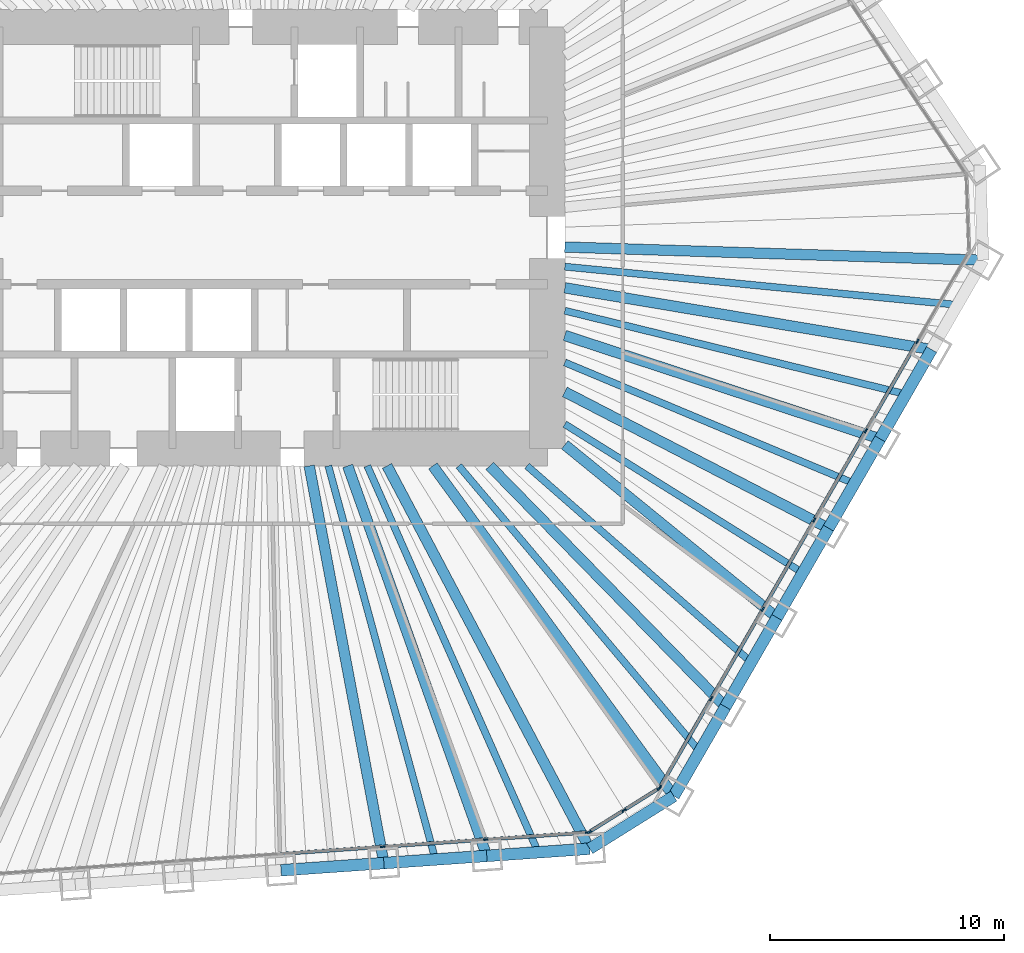
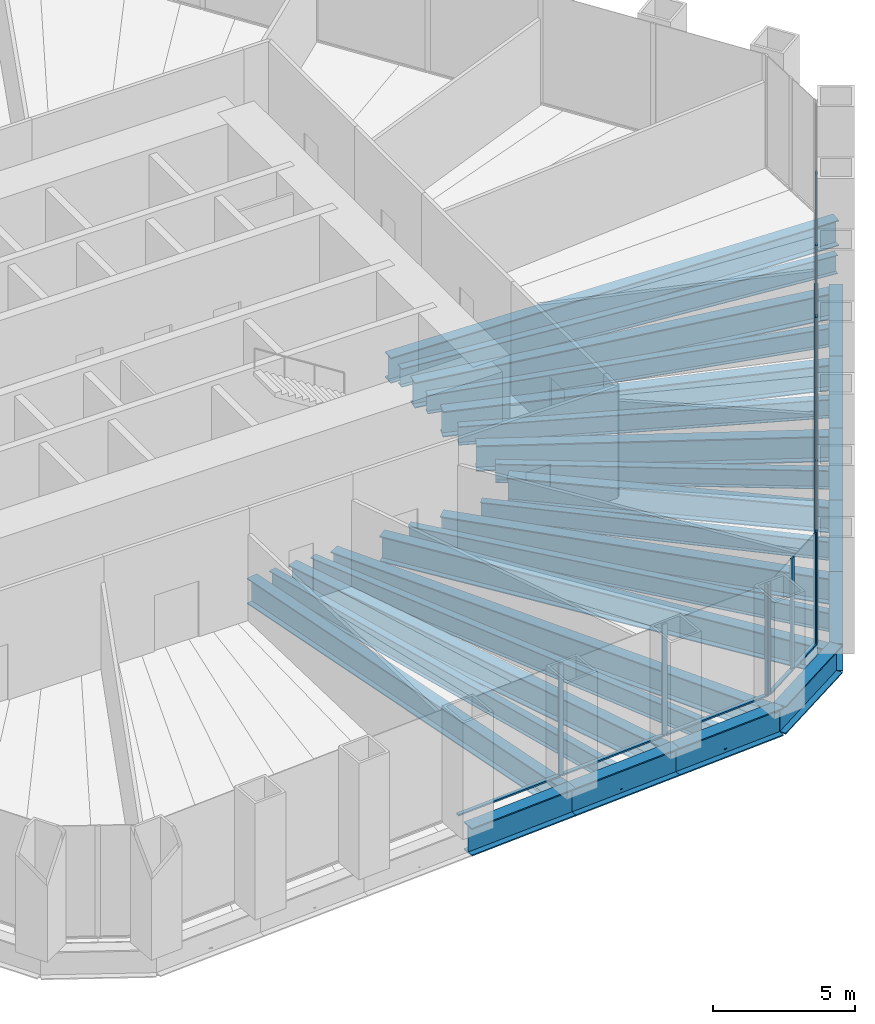
# One storey, part 4 of 13: 27 beams, 22 members, 3 elements without a shape of their own.
"""IFC4 building model written with IfcOpenShell, lengths in metres."""

import ifcopenshell
import ifcopenshell.guid

model = None  # the IFC model being written
_history = None  # IfcOwnerHistory: only IFC2X3 demands one
_inside = {}  # id of a spatial element -> (the spatial element, [elements in it])
_under = {}  # id of a project, library or spatial element -> (it, [spatial elements below it])
_declared = {}  # id of a project -> (the project, [libraries it declares])
_typed = {}  # id of a type object -> (the type object, [elements of that type])
_made_of = {}  # id of a material, layer set ... -> (it, [elements and type objects made of it])


def new_model(schema):
    """Start an empty IFC model of exactly this schema.

    Asked for "IFC4X3", IfcOpenShell would pick the latest addendum, in which some entities
    have other attributes; the version numbers below select the first issue.
    IFC2X3 requires an IfcOwnerHistory on every rooted entity: one is made here for all.
    """
    global model, _history
    if schema == "IFC4X3":
        model = ifcopenshell.file(schema_version=(4, 3, 0, 0))
    else:
        model = ifcopenshell.file(schema=schema)
    _inside.clear()
    _under.clear()
    _declared.clear()
    _typed.clear()
    _made_of.clear()
    _history = None
    if model.schema == "IFC2X3":
        org = make("IfcOrganization", Name="unknown")
        user = make(
            "IfcPersonAndOrganization",
            ThePerson=make("IfcPerson", FamilyName="unknown"),
            TheOrganization=org,
        )
        app = make(
            "IfcApplication",
            ApplicationDeveloper=org,
            Version="unknown",
            ApplicationFullName="unknown",
            ApplicationIdentifier="unknown",
        )
        _history = make(
            "IfcOwnerHistory",
            OwningUser=user,
            OwningApplication=app,
            ChangeAction="ADDED",
            CreationDate=0,
        )
    return model


def make(cls, **values):
    """One entity of the class cls with the attributes given. An attribute that is None is left unset."""
    return model.create_entity(
        cls, **{name: value for name, value in values.items() if value is not None}
    )


def rooted(cls, **values):
    """An entity with a GlobalId (a new one), such as an element, a storey or a relation."""
    return make(cls, GlobalId=ifcopenshell.guid.new(), OwnerHistory=_history, **values)


def si_unit(unit_type, name, prefix=None):
    """IfcSIUnit, for example si_unit("LENGTHUNIT", "METRE", prefix="MILLI")."""
    return make("IfcSIUnit", UnitType=unit_type, Prefix=prefix, Name=name)


def assignment(units):
    """IfcUnitAssignment: the units of a project."""
    return None if units is None else make("IfcUnitAssignment", Units=units)


def point(xyz):
    """IfcCartesianPoint."""
    return None if xyz is None else make("IfcCartesianPoint", Coordinates=xyz)


def direction(xyz):
    """IfcDirection."""
    return None if xyz is None else make("IfcDirection", DirectionRatios=xyz)


def frame(location, z_axis=None, x_axis=None):
    """IfcAxis2Placement3D, a coordinate frame: its origin and axes. An axis left out is left unset."""
    return make(
        "IfcAxis2Placement3D",
        Location=point(location),
        Axis=direction(z_axis),
        RefDirection=direction(x_axis),
    )


def frame_2d(location, x_axis=None):
    """IfcAxis2Placement2D, a coordinate frame in the plane: its origin and x axis."""
    return make(
        "IfcAxis2Placement2D", Location=point(location), RefDirection=direction(x_axis)
    )


def origin():
    """The frame at (0, 0, 0) with its axes left unset."""
    return frame((0.0, 0.0, 0.0))


def origin_2d():
    """The frame at (0, 0) in the plane with its x axis left unset."""
    return frame_2d((0.0, 0.0))


def place(relative_to, where):
    """IfcLocalPlacement: puts the frame where relative to a parent placement (None: the world)."""
    return make(
        "IfcLocalPlacement", PlacementRelTo=relative_to, RelativePlacement=where
    )


def context(
    kind, dimensions, precision=None, world=None, true_north=None, identifier=None
):
    """IfcGeometricRepresentationContext, for example the 3D "Model" context."""
    return make(
        "IfcGeometricRepresentationContext",
        ContextIdentifier=identifier,
        ContextType=kind,
        CoordinateSpaceDimension=dimensions,
        Precision=precision,
        WorldCoordinateSystem=world,
        TrueNorth=true_north,
    )


def subcontext(parent, identifier, kind, view, scale=None):
    """IfcGeometricRepresentationSubContext, for example "Body" below "Model"."""
    return make(
        "IfcGeometricRepresentationSubContext",
        ContextIdentifier=identifier,
        ContextType=kind,
        ParentContext=parent,
        TargetScale=scale,
        TargetView=view,
    )


def project(units=None, contexts=None):
    """IfcProject with its units and contexts."""
    return rooted(
        "IfcProject",
        Name="project",
        RepresentationContexts=contexts,
        UnitsInContext=assignment(units),
    )


def spatial(cls, under=None, at=None, **own):
    """A site, building, storey or space (cls), placed at a placement, below another one or the project."""
    s = rooted(cls, ObjectPlacement=at, **own)
    if under is not None:
        _under.setdefault(under.id(), (under, []))[1].append(s)
    return s


def profile(cls, at=None, kind="AREA", **sizes):
    """A parametric profile (cls). Its sizes go by their IFC names, for example OverallWidth=200.0."""
    return make(cls, ProfileType=kind, Position=at, **sizes)


def rectangle(**sizes):
    """IfcRectangleProfileDef."""
    return profile("IfcRectangleProfileDef", **sizes)


def i_section(**sizes):
    """IfcIShapeProfileDef."""
    return profile("IfcIShapeProfileDef", **sizes)


def extrude(swept, where, along, depth):
    """IfcExtrudedAreaSolid: the profile swept, set in the frame where, extruded along a direction by depth."""
    return make(
        "IfcExtrudedAreaSolid",
        SweptArea=swept,
        Position=where,
        ExtrudedDirection=direction(along),
        Depth=depth,
    )


def shape(context_of_items, identifier, shape_type, items):
    """IfcShapeRepresentation: the items that make up one representation, for example the "Body"."""
    return make(
        "IfcShapeRepresentation",
        ContextOfItems=context_of_items,
        RepresentationIdentifier=identifier,
        RepresentationType=shape_type,
        Items=items,
    )


def material(Name=None, Category=None):
    """IfcMaterial."""
    return make("IfcMaterial", Name=Name, Category=Category)


def material_profile(
    of_material, cross_section, Name=None, Category=None, Priority=None
):
    """IfcMaterialProfile: a cross section and its material."""
    return make(
        "IfcMaterialProfile",
        Name=Name,
        Material=of_material,
        Profile=cross_section,
        Priority=Priority,
        Category=Category,
    )


def profile_set(profiles, Name=None, composite=None):
    """IfcMaterialProfileSet."""
    return make(
        "IfcMaterialProfileSet",
        Name=Name,
        MaterialProfiles=profiles,
        CompositeProfile=composite,
    )


def made_of(thing, what):
    """Note that an element or type object is made of a material, layer set ...; save() writes the relation."""
    if what is not None:
        _made_of.setdefault(what.id(), (what, []))[1].append(thing)
    return thing


def type_object(cls, material=None, **own):
    """A type object (cls), such as IfcWallType, which elements share."""
    return made_of(rooted(cls, **own), material)


def element(
    cls,
    number,
    at=None,
    inside=None,
    cuts=None,
    type_object=None,
    material=None,
    context=None,
    identifier="Body",
    shape_type=None,
    held_by="IfcProductDefinitionShape",
    body=None,
    shapes=None,
    **own,
):
    """One element of the class cls, such as IfcWall. Its Tag is "e" and its number.

    at: its placement. inside: the storey or other place that contains it. cuts: it is an
    opening in that element (IfcRelVoidsElement). A single representation is given by context,
    identifier, shape_type and body (its items); several are given by shapes. held_by: the class
    of the entity that holds the representations. save() writes the other relations.
    """
    e = rooted(cls, Tag="e%d" % number, ObjectPlacement=at, **own)
    if body is not None:
        shapes = [shape(context, identifier, shape_type, body)]
    if shapes is not None:
        e.Representation = make(held_by, Representations=shapes)
    if inside is not None:
        _inside.setdefault(inside.id(), (inside, []))[1].append(e)
    if cuts is not None:
        rooted(
            "IfcRelVoidsElement", RelatingBuildingElement=cuts, RelatedOpeningElement=e
        )
    if type_object is not None:
        _typed.setdefault(type_object.id(), (type_object, []))[1].append(e)
    return made_of(e, material)


def aggregate(whole, parts):
    """IfcRelAggregates: a whole, such as a stair, and the parts it consists of."""
    return rooted("IfcRelAggregates", RelatingObject=whole, RelatedObjects=parts)


def save(model, path):
    """Write the relations noted so far, then the file.

    IfcRelAggregates (storeys below a building ...), IfcRelContainedInSpatialStructure (elements
    in a storey), IfcRelDefinesByType, IfcRelAssociatesMaterial and IfcRelDeclares: one each for
    every whole, place, type object, material and project.
    """
    for whole, parts in _under.values():
        aggregate(whole, parts)
    for where, things in _inside.values():
        rooted(
            "IfcRelContainedInSpatialStructure",
            RelatedElements=things,
            RelatingStructure=where,
        )
    for kind, things in _typed.values():
        rooted("IfcRelDefinesByType", RelatedObjects=things, RelatingType=kind)
    for what, things in _made_of.values():
        rooted("IfcRelAssociatesMaterial", RelatedObjects=things, RelatingMaterial=what)
    for by, libraries in _declared.values():
        rooted("IfcRelDeclares", RelatingContext=by, RelatedDefinitions=libraries)
    model.write(path)


model = new_model("IFC4")

# Units and contexts
model_context = context("Model", 3, precision=1e-05, world=origin(), true_north=direction((0.0, 1.0)))
body_context = subcontext(model_context, "Body", "Model", "MODEL_VIEW")
ifc_project = project(units=[si_unit("LENGTHUNIT", "METRE"), si_unit("AREAUNIT", "SQUARE_METRE"), si_unit("VOLUMEUNIT", "CUBIC_METRE"), si_unit("PLANEANGLEUNIT", "RADIAN"), si_unit("MASSUNIT", "GRAM", prefix="KILO")], contexts=[model_context])

# Site, building, storey
site_placement = place(None, origin())
site = spatial("IfcSite", under=ifc_project, at=site_placement, CompositionType="ELEMENT")
building_placement = place(site_placement, origin())
building = spatial("IfcBuilding", under=site, at=building_placement, Name="Qingtian Harvest Tower", CompositionType="ELEMENT")
storey_placement = place(building_placement, frame((0.0, 0.0, 62.0)))
storey = spatial("IfcBuildingStorey", under=building, at=storey_placement, Name="L12", CompositionType="ELEMENT", Elevation=62.0)

# Beams
ifc_material_1 = material(Name="Steel SM570MC", Category="steel")
ifc_material_profile_1 = material_profile(ifc_material_1, i_section(OverallWidth=0.449951171875, OverallDepth=1.10009765625, WebThickness=0.02197265625, FlangeThickness=0.044921875, at=origin_2d()), Name="H1100x450x22x45")
ifc_profile_set_1 = profile_set([ifc_material_profile_1], Name="Steel SM570MC")
beam_type_1 = type_object("IfcBeamType", Name="Corner floor beam FB8 H1100x450x22x45", PredefinedType="BEAM", material=ifc_profile_set_1)
beam_1_placement = place(storey_placement, frame((30.618408203125, -0.96728515625, -0.75), z_axis=(-0.999501426546, 0.031573696842, 0.0), x_axis=(-0.031573696842, -0.999501426546, 0.0)))
element("IfcBeam", 1, at=beam_1_placement, inside=storey, type_object=beam_type_1, Name="Floor beam FB8 SE0", PredefinedType="BEAM", context=body_context, shape_type="SweptSolid", body=[
    extrude(i_section(OverallWidth=0.449951171875, OverallDepth=1.10009765625, WebThickness=0.02197265625, FlangeThickness=0.044921875, at=origin_2d()), origin(), (0.0, 0.0, 1.0), 17.87744140625),
])
beam_2_placement = place(storey_placement, frame((17.404541015625, -23.854248046875, -0.75), z_axis=(-0.58941234871, 0.807832336062, 0.0), x_axis=(-0.807832336062, -0.58941234871, 0.0)))
element("IfcBeam", 2, at=beam_2_placement, inside=storey, type_object=beam_type_1, Name="Floor beam FB8 SE6", PredefinedType="BEAM", context=body_context, shape_type="SweptSolid", body=[
    extrude(i_section(OverallWidth=0.449951171875, OverallDepth=1.10009765625, WebThickness=0.02197265625, FlangeThickness=0.044921875, at=origin_2d()), origin(), (0.0, 0.0, 1.0), 17.45947265625),
])
beam_3_placement = place(storey_placement, frame((13.810546875, -26.10009765625, -0.75), z_axis=(-0.467705182679, 0.883884529843, 0.0), x_axis=(-0.883884529843, -0.467705182679, 0.0)))
element("IfcBeam", 3, at=beam_3_placement, inside=storey, type_object=beam_type_1, Name="Floor beam FB8 S0", PredefinedType="BEAM", context=body_context, shape_type="SweptSolid", body=[
    extrude(i_section(OverallWidth=0.449951171875, OverallDepth=1.10009765625, WebThickness=0.02197265625, FlangeThickness=0.044921875, at=origin_2d()), origin(), (0.0, 0.0, 1.0), 18.498046875),
])
ifc_material_2 = material(Name="Steel SM570MC", Category="steel")
ifc_material_profile_2 = material_profile(ifc_material_2, i_section(OverallWidth=0.449951171875, OverallDepth=1.10009765625, WebThickness=0.02197265625, FlangeThickness=0.044921875, at=origin_2d()), Name="H1100x450x22x45")
ifc_profile_set_2 = profile_set([ifc_material_profile_2], Name="Steel SM570MC")
beam_type_2 = type_object("IfcBeamType", Name="Floor beam FB1 H1100x450x22x45", PredefinedType="BEAM", material=ifc_profile_set_2)
beam_4_placement = place(storey_placement, frame((28.416015625, -4.78173828125, -0.75), z_axis=(-0.986135195489, 0.16594389479, 0.0), x_axis=(-0.16594389479, -0.986135195489, 0.0)))
element("IfcBeam", 4, at=beam_4_placement, inside=storey, type_object=beam_type_2, Name="Floor beam FB1 SE1", PredefinedType="BEAM", context=body_context, shape_type="SweptSolid", body=[
    extrude(i_section(OverallWidth=0.449951171875, OverallDepth=1.10009765625, WebThickness=0.02197265625, FlangeThickness=0.044921875, at=origin_2d()), origin(), (0.0, 0.0, 1.0), 15.88623046875),
])
beam_5_placement = place(storey_placement, frame((26.2138671875, -8.596435546875, -0.75), z_axis=(-0.950210724421, 0.311608053803, 0.0), x_axis=(-0.311608053803, -0.950210724421, 0.0)))
element("IfcBeam", 5, at=beam_5_placement, inside=storey, type_object=beam_type_2, Name="Floor beam FB1 SE2", PredefinedType="BEAM", context=body_context, shape_type="SweptSolid", body=[
    extrude(i_section(OverallWidth=0.449951171875, OverallDepth=1.10009765625, WebThickness=0.02197265625, FlangeThickness=0.044921875, at=origin_2d()), origin(), (0.0, 0.0, 1.0), 14.16943359375),
])
beam_6_placement = place(storey_placement, frame((24.011474609375, -12.410888671875, -0.75), z_axis=(-0.888349581519, 0.45916774823, 0.0), x_axis=(-0.45916774823, -0.888349581519, 0.0)))
element("IfcBeam", 6, at=beam_6_placement, inside=storey, type_object=beam_type_2, Name="Floor beam FB1 SE3", PredefinedType="BEAM", context=body_context, shape_type="SweptSolid", body=[
    extrude(i_section(OverallWidth=0.449951171875, OverallDepth=1.10009765625, WebThickness=0.02197265625, FlangeThickness=0.044921875, at=origin_2d()), origin(), (0.0, 0.0, 1.0), 12.6767578125),
])
beam_7_placement = place(storey_placement, frame((21.809326171875, -16.225341796875, -0.75), z_axis=(-0.775504415669, 0.631342142802, 0.0), x_axis=(-0.631342142802, -0.775504415669, 0.0)))
element("IfcBeam", 7, at=beam_7_placement, inside=storey, type_object=beam_type_2, Name="Floor beam FB1 SE4", PredefinedType="BEAM", context=body_context, shape_type="SweptSolid", body=[
    extrude(i_section(OverallWidth=0.449951171875, OverallDepth=1.10009765625, WebThickness=0.02197265625, FlangeThickness=0.044921875, at=origin_2d()), origin(), (0.0, 0.0, 1.0), 11.681884765625),
])
beam_8_placement = place(storey_placement, frame((19.60693359375, -20.039794921875, -0.75), z_axis=(-0.699348221539, 0.714781130858, 0.0), x_axis=(-0.714781130858, -0.699348221539, 0.0)))
element("IfcBeam", 8, at=beam_8_placement, inside=storey, type_object=beam_type_2, Name="Floor beam FB1 SE5", PredefinedType="BEAM", context=body_context, shape_type="SweptSolid", body=[
    extrude(i_section(OverallWidth=0.449951171875, OverallDepth=1.10009765625, WebThickness=0.02197265625, FlangeThickness=0.044921875, at=origin_2d()), origin(), (0.0, 0.0, 1.0), 14.395751953125),
])
beam_9_placement = place(storey_placement, frame((9.41650390625, -26.407470703125, -0.75), z_axis=(-0.33586498155, 0.941910141239, 0.0), x_axis=(-0.941910141239, -0.33586498155, 0.0)))
element("IfcBeam", 9, at=beam_9_placement, inside=storey, type_object=beam_type_2, Name="Floor beam FB1 S1", PredefinedType="BEAM", context=body_context, shape_type="SweptSolid", body=[
    extrude(i_section(OverallWidth=0.449951171875, OverallDepth=1.10009765625, WebThickness=0.02197265625, FlangeThickness=0.044921875, at=origin_2d()), origin(), (0.0, 0.0, 1.0), 17.684814453125),
])
beam_10_placement = place(storey_placement, frame((5.022705078125, -26.714599609375, -0.75), z_axis=(-0.184782942099, 0.98277935688, 0.0), x_axis=(-0.98277935688, -0.184782942099, 0.0)))
element("IfcBeam", 10, at=beam_10_placement, inside=storey, type_object=beam_type_2, Name="Floor beam FB1 S2", PredefinedType="BEAM", context=body_context, shape_type="SweptSolid", body=[
    extrude(i_section(OverallWidth=0.449951171875, OverallDepth=1.10009765625, WebThickness=0.02197265625, FlangeThickness=0.044921875, at=origin_2d()), origin(), (0.0, 0.0, 1.0), 17.261962890625),
])
ifc_material_3 = material(Name="Steel SN490B", Category="steel")
ifc_material_profile_3 = material_profile(ifc_material_3, i_section(OverallWidth=0.300048828125, OverallDepth=0.800048828125, WebThickness=0.013916015625, FlangeThickness=0.02587890625, at=origin_2d()), Name="H800x300x14x26")
ifc_profile_set_3 = profile_set([ifc_material_profile_3], Name="Steel SN490B")
beam_type_3 = type_object("IfcBeamType", Name="Floor joist J1 H800x300x14x26", PredefinedType="JOIST", material=ifc_profile_set_3)
beam_11_placement = place(storey_placement, frame((29.517333984375, -2.87451171875, -0.60009765625), z_axis=(-0.995291970786, 0.096922097011, 0.0), x_axis=(-0.096922097011, -0.995291970786, 0.0)))
element("IfcBeam", 11, at=beam_11_placement, inside=storey, type_object=beam_type_3, Name="Floor joist J1 SE0", PredefinedType="JOIST", context=body_context, shape_type="SweptSolid", body=[
    extrude(i_section(OverallWidth=0.300048828125, OverallDepth=0.800048828125, WebThickness=0.013916015625, FlangeThickness=0.02587890625, at=origin_2d()), origin(), (0.0, 0.0, 1.0), 16.8466796875),
])
beam_12_placement = place(storey_placement, frame((27.31494140625, -6.68896484375, -0.60009765625), z_axis=(-0.971301533706, 0.237851488583, 0.0), x_axis=(-0.237851488583, -0.971301533706, 0.0)))
element("IfcBeam", 12, at=beam_12_placement, inside=storey, type_object=beam_type_3, Name="Floor joist J1 SE1", PredefinedType="JOIST", context=body_context, shape_type="SweptSolid", body=[
    extrude(i_section(OverallWidth=0.300048828125, OverallDepth=0.800048828125, WebThickness=0.013916015625, FlangeThickness=0.02587890625, at=origin_2d()), origin(), (0.0, 0.0, 1.0), 14.995361328125),
])
beam_13_placement = place(storey_placement, frame((25.112548828125, -10.503662109375, -0.60009765625), z_axis=(-0.922550516103, 0.385876334125, 0.0), x_axis=(-0.385876334125, -0.922550516103, 0.0)))
element("IfcBeam", 13, at=beam_13_placement, inside=storey, type_object=beam_type_3, Name="Floor joist J1 SE2", PredefinedType="JOIST", context=body_context, shape_type="SweptSolid", body=[
    extrude(i_section(OverallWidth=0.300048828125, OverallDepth=0.800048828125, WebThickness=0.013916015625, FlangeThickness=0.02587890625, at=origin_2d()), origin(), (0.0, 0.0, 1.0), 13.400390625),
])
beam_14_placement = place(storey_placement, frame((22.910400390625, -14.318115234375, -0.60009765625), z_axis=(-0.848013185461, 0.52997512893, 0.0), x_axis=(-0.52997512893, -0.848013185461, 0.0)))
element("IfcBeam", 14, at=beam_14_placement, inside=storey, type_object=beam_type_3, Name="Floor joist J1 SE3", PredefinedType="JOIST", context=body_context, shape_type="SweptSolid", body=[
    extrude(i_section(OverallWidth=0.300048828125, OverallDepth=0.800048828125, WebThickness=0.013916015625, FlangeThickness=0.02587890625, at=origin_2d()), origin(), (0.0, 0.0, 1.0), 11.9814453125),
])
beam_15_placement = place(storey_placement, frame((20.7080078125, -18.132568359375, -0.60009765625), z_axis=(-0.75234369212, 0.658770801514, 0.0), x_axis=(-0.658770801514, -0.75234369212, 0.0)))
element("IfcBeam", 15, at=beam_15_placement, inside=storey, type_object=beam_type_3, Name="Floor joist J1 SE4", PredefinedType="JOIST", context=body_context, shape_type="SweptSolid", body=[
    extrude(i_section(OverallWidth=0.300048828125, OverallDepth=0.800048828125, WebThickness=0.013916015625, FlangeThickness=0.02587890625, at=origin_2d()), origin(), (0.0, 0.0, 1.0), 12.724609375),
])
beam_16_placement = place(storey_placement, frame((18.505859375, -21.947021484375, -0.60009765625), z_axis=(-0.644630398038, 0.76449437534, 0.0), x_axis=(-0.76449437534, -0.644630398038, 0.0)))
element("IfcBeam", 16, at=beam_16_placement, inside=storey, type_object=beam_type_3, Name="Floor joist J1 SE5", PredefinedType="JOIST", context=body_context, shape_type="SweptSolid", body=[
    extrude(i_section(OverallWidth=0.300048828125, OverallDepth=0.800048828125, WebThickness=0.013916015625, FlangeThickness=0.02587890625, at=origin_2d()), origin(), (0.0, 0.0, 1.0), 15.954345703125),
])
beam_17_placement = place(storey_placement, frame((11.613525390625, -26.25390625, -0.60009765625), z_axis=(-0.404539958959, 0.914520323233, 0.0), x_axis=(-0.914520323233, -0.404539958959, 0.0)))
element("IfcBeam", 17, at=beam_17_placement, inside=storey, type_object=beam_type_3, Name="Floor joist J1 S0", PredefinedType="JOIST", context=body_context, shape_type="SweptSolid", body=[
    extrude(i_section(OverallWidth=0.300048828125, OverallDepth=0.800048828125, WebThickness=0.013916015625, FlangeThickness=0.02587890625, at=origin_2d()), origin(), (0.0, 0.0, 1.0), 18.046630859375),
])
beam_18_placement = place(storey_placement, frame((7.2197265625, -26.56103515625, -0.60009765625), z_axis=(-0.262302659247, 0.964985655309, 0.0), x_axis=(-0.964985655309, -0.262302659247, 0.0)))
element("IfcBeam", 18, at=beam_18_placement, inside=storey, type_object=beam_type_3, Name="Floor joist J1 S1", PredefinedType="JOIST", context=body_context, shape_type="SweptSolid", body=[
    extrude(i_section(OverallWidth=0.300048828125, OverallDepth=0.800048828125, WebThickness=0.013916015625, FlangeThickness=0.02587890625, at=origin_2d()), origin(), (0.0, 0.0, 1.0), 17.421142578125),
])

# Curtain wall, members
ifc_material_4 = material(Name="Bronze-anodised aluminium curtain wall", Category="aluminium")
curtain_wall_type = type_object("IfcCurtainWallType", Name="Curtain wall CW2 farm reception", PredefinedType="USERDEFINED", material=ifc_material_4)
curtain_wall_1_placement = place(storey_placement, origin())
curtain_wall_1 = element("IfcCurtainWall", 19, at=curtain_wall_1_placement, inside=storey, type_object=curtain_wall_type, Name="Curtain wall CW2 L12 SE0-5", ObjectType="RECESSED CURTAIN WALL", PredefinedType="USERDEFINED")
ifc_material_5 = material(Name="Bronze-anodised aluminium mullion", Category="aluminium")
ifc_material_profile_4 = material_profile(ifc_material_5, rectangle(XDim=0.06494140625, YDim=0.199951171875, at=origin_2d()), Name="AL 65x200")
ifc_profile_set_4 = profile_set([ifc_material_profile_4], Name="Bronze-anodised aluminium mullion")
member_type_1 = type_object("IfcMemberType", Name="Mullion CWM 65x200", PredefinedType="MULLION", material=ifc_profile_set_4)
member_1_placement = place(storey_placement, frame((27.809814453125, -4.431884765625, 0.0), z_axis=(0.0, 0.0, 1.0), x_axis=(0.866025403784, -0.5, 0.0)))
member_1 = element("IfcMember", 20, at=member_1_placement, type_object=member_type_1, Name="CW2 mullion 2", PredefinedType="MULLION", context=body_context, shape_type="SweptSolid", body=[
    extrude(rectangle(XDim=0.06494140625, YDim=0.199951171875, at=origin_2d()), origin(), (0.0, 0.0, 1.0), 4.800048828125),
])
member_2_placement = place(storey_placement, frame((25.607666015625, -8.246337890625, 0.0), z_axis=(0.0, 0.0, 1.0), x_axis=(0.866025403784, -0.5, 0.0)))
member_2 = element("IfcMember", 21, at=member_2_placement, type_object=member_type_1, Name="CW2 mullion 3", PredefinedType="MULLION", context=body_context, shape_type="SweptSolid", body=[
    extrude(rectangle(XDim=0.06494140625, YDim=0.199951171875, at=origin_2d()), origin(), (0.0, 0.0, 1.0), 4.800048828125),
])
member_3_placement = place(storey_placement, frame((23.4052734375, -12.060791015625, 0.0), z_axis=(0.0, 0.0, 1.0), x_axis=(0.866025403784, -0.5, 0.0)))
member_3 = element("IfcMember", 22, at=member_3_placement, type_object=member_type_1, Name="CW2 mullion 4", PredefinedType="MULLION", context=body_context, shape_type="SweptSolid", body=[
    extrude(rectangle(XDim=0.06494140625, YDim=0.199951171875, at=origin_2d()), origin(), (0.0, 0.0, 1.0), 4.800048828125),
])
member_4_placement = place(storey_placement, frame((21.202880859375, -15.875244140625, 0.0), z_axis=(0.0, 0.0, 1.0), x_axis=(0.866025403784, -0.5, 0.0)))
member_4 = element("IfcMember", 23, at=member_4_placement, type_object=member_type_1, Name="CW2 mullion 5", PredefinedType="MULLION", context=body_context, shape_type="SweptSolid", body=[
    extrude(rectangle(XDim=0.06494140625, YDim=0.199951171875, at=origin_2d()), origin(), (0.0, 0.0, 1.0), 4.800048828125),
])
member_5_placement = place(storey_placement, frame((19.000732421875, -19.68994140625, 0.0), z_axis=(0.0, 0.0, 1.0), x_axis=(0.866025403784, -0.5, 0.0)))
member_5 = element("IfcMember", 24, at=member_5_placement, type_object=member_type_1, Name="CW2 mullion 6", PredefinedType="MULLION", context=body_context, shape_type="SweptSolid", body=[
    extrude(rectangle(XDim=0.06494140625, YDim=0.199951171875, at=origin_2d()), origin(), (0.0, 0.0, 1.0), 4.800048828125),
])
member_6_placement = place(storey_placement, frame((16.814697265625, -23.47607421875, 0.0), z_axis=(0.0, 0.0, 1.0), x_axis=(0.866025403784, -0.5, 0.0)))
member_6 = element("IfcMember", 25, at=member_6_placement, type_object=member_type_1, Name="CW2 mullion 7", PredefinedType="MULLION", context=body_context, shape_type="SweptSolid", body=[
    extrude(rectangle(XDim=0.06494140625, YDim=0.199951171875, at=origin_2d()), origin(), (0.0, 0.0, 1.0), 4.800048828125),
])

curtain_wall_2_placement = place(storey_placement, origin())
curtain_wall_2 = element("IfcCurtainWall", 26, at=curtain_wall_2_placement, inside=storey, type_object=curtain_wall_type, Name="Curtain wall CW2 L12 SEC", ObjectType="RECESSED CURTAIN WALL", PredefinedType="USERDEFINED")
member_7_placement = place(storey_placement, frame((16.770751953125, -23.521484375, 0.0), z_axis=(0.0, 0.0, 1.0), x_axis=(0.529919264233, -0.848048096156, 0.0)))
member_7 = element("IfcMember", 27, at=member_7_placement, type_object=member_type_1, Name="CW2 mullion 1", PredefinedType="MULLION", context=body_context, shape_type="SweptSolid", body=[
    extrude(rectangle(XDim=0.06494140625, YDim=0.199951171875, at=origin_2d()), origin(), (0.0, 0.0, 1.0), 4.800048828125),
])
member_8_placement = place(storey_placement, frame((15.280029296875, -24.453125, 0.0), z_axis=(0.0, 0.0, 1.0), x_axis=(0.529919264233, -0.848048096156, 0.0)))
member_8 = element("IfcMember", 28, at=member_8_placement, type_object=member_type_1, Name="CW2 mullion 2", PredefinedType="MULLION", context=body_context, shape_type="SweptSolid", body=[
    extrude(rectangle(XDim=0.06494140625, YDim=0.199951171875, at=origin_2d()), origin(), (0.0, 0.0, 1.0), 4.800048828125),
])
member_9_placement = place(storey_placement, frame((13.789306640625, -25.384765625, 0.0), z_axis=(0.0, 0.0, 1.0), x_axis=(0.529919264233, -0.848048096156, 0.0)))
member_9 = element("IfcMember", 29, at=member_9_placement, type_object=member_type_1, Name="CW2 mullion 3", PredefinedType="MULLION", context=body_context, shape_type="SweptSolid", body=[
    extrude(rectangle(XDim=0.06494140625, YDim=0.199951171875, at=origin_2d()), origin(), (0.0, 0.0, 1.0), 4.800048828125),
])

curtain_wall_3_placement = place(storey_placement, origin())
curtain_wall_3 = element("IfcCurtainWall", 30, at=curtain_wall_3_placement, inside=storey, type_object=curtain_wall_type, Name="Curtain wall CW2 L12 S0-5", ObjectType="RECESSED CURTAIN WALL", PredefinedType="USERDEFINED")
member_10_placement = place(storey_placement, frame((13.729248046875, -25.404296875, 0.0), z_axis=(0.0, 0.0, 1.0), x_axis=(0.069756473744, -0.99756405026, 0.0)))
member_10 = element("IfcMember", 31, at=member_10_placement, type_object=member_type_1, Name="CW2 mullion 1", PredefinedType="MULLION", context=body_context, shape_type="SweptSolid", body=[
    extrude(rectangle(XDim=0.06494140625, YDim=0.199951171875, at=origin_2d()), origin(), (0.0, 0.0, 1.0), 4.800048828125),
])
member_11_placement = place(storey_placement, frame((9.36767578125, -25.709228515625, 0.0), z_axis=(0.0, 0.0, 1.0), x_axis=(0.069756473744, -0.99756405026, 0.0)))
member_11 = element("IfcMember", 32, at=member_11_placement, type_object=member_type_1, Name="CW2 mullion 2", PredefinedType="MULLION", context=body_context, shape_type="SweptSolid", body=[
    extrude(rectangle(XDim=0.06494140625, YDim=0.199951171875, at=origin_2d()), origin(), (0.0, 0.0, 1.0), 4.800048828125),
])
member_12_placement = place(storey_placement, frame((4.973876953125, -26.016357421875, 0.0), z_axis=(0.0, 0.0, 1.0), x_axis=(0.069756473744, -0.99756405026, 0.0)))
member_12 = element("IfcMember", 33, at=member_12_placement, type_object=member_type_1, Name="CW2 mullion 3", PredefinedType="MULLION", context=body_context, shape_type="SweptSolid", body=[
    extrude(rectangle(XDim=0.06494140625, YDim=0.199951171875, at=origin_2d()), origin(), (0.0, 0.0, 1.0), 4.800048828125),
])

# Beams
ifc_material_6 = material(Name="Steel SM570MC", Category="steel")
ifc_material_profile_5 = material_profile(ifc_material_6, i_section(OverallWidth=0.5, OverallDepth=1.199951171875, WebThickness=0.02490234375, FlangeThickness=0.050048828125, at=origin_2d()), Name="H1200x500x25x50")
ifc_profile_set_5 = profile_set([ifc_material_profile_5], Name="Steel SM570MC")
beam_type_4 = type_object("IfcBeamType", Name="Spandrel beam SB1 H1200x500x25x50", PredefinedType="SPANDREL", material=ifc_profile_set_5)
beam_19_placement = place(storey_placement, frame((28.416015625, -4.78173828125, -0.60009765625), z_axis=(-0.499954356739, -0.86605175433, 0.0), x_axis=(0.86605175433, -0.499954356739, 0.0)))
element("IfcBeam", 34, at=beam_19_placement, inside=storey, type_object=beam_type_4, Name="Spandrel SB1 SE1", PredefinedType="SPANDREL", context=body_context, shape_type="SweptSolid", body=[
    extrude(i_section(OverallWidth=0.5, OverallDepth=1.199951171875, WebThickness=0.02490234375, FlangeThickness=0.050048828125, at=origin_2d()), origin(), (0.0, 0.0, 1.0), 4.40478515625),
])
for number, where, z_axis, x_axis, name in (
    (35, (26.2138671875, -8.596435546875, -0.60009765625), (-0.50001992892, -0.866013897511, 0.0), (0.866013897511, -0.50001992892, 0.0), "Spandrel SB1 SE2"),
    (36, (24.011474609375, -12.410888671875, -0.60009765625), (-0.499978356969, -0.866037899034, 0.0), (0.866037899034, -0.499978356969, 0.0), "Spandrel SB1 SE3"),
    (37, (21.809326171875, -16.225341796875, -0.60009765625), (-0.50001992892, -0.866013897511, 0.0), (0.866013897511, -0.50001992892, 0.0), "Spandrel SB1 SE4"),
    (38, (19.60693359375, -20.039794921875, -0.60009765625), (-0.50001992892, -0.866013897511, 0.0), (0.866013897511, -0.50001992892, 0.0), "Spandrel SB1 SE5"),
):
    element("IfcBeam", number, at=place(storey_placement, frame(where, z_axis=z_axis, x_axis=x_axis)), inside=storey, type_object=beam_type_4, Name=name, PredefinedType="SPANDREL", context=body_context, shape_type="SweptSolid", body=[
        extrude(i_section(OverallWidth=0.5, OverallDepth=1.199951171875, WebThickness=0.02490234375, FlangeThickness=0.050048828125, at=origin_2d()), origin(), (0.0, 0.0, 1.0), 4.404541015625),
    ])
beam_20_placement = place(storey_placement, frame((17.404541015625, -23.854248046875, -0.60009765625), z_axis=(-0.848040374245, -0.529931621675, 0.0), x_axis=(0.529931621675, -0.848040374245, 0.0)))
element("IfcBeam", 39, at=beam_20_placement, inside=storey, type_object=beam_type_4, Name="Spandrel SB1 SEC", PredefinedType="SPANDREL", context=body_context, shape_type="SweptSolid", body=[
    extrude(i_section(OverallWidth=0.5, OverallDepth=1.199951171875, WebThickness=0.02490234375, FlangeThickness=0.050048828125, at=origin_2d()), origin(), (0.0, 0.0, 1.0), 4.238037109375),
])
beam_21_placement = place(storey_placement, frame((13.810546875, -26.10009765625, -0.60009765625), z_axis=(-0.997562286406, -0.069781693443, 0.0), x_axis=(0.069781693443, -0.997562286406, 0.0)))
element("IfcBeam", 40, at=beam_21_placement, inside=storey, type_object=beam_type_4, Name="Spandrel SB1 S0", PredefinedType="SPANDREL", context=body_context, shape_type="SweptSolid", body=[
    extrude(i_section(OverallWidth=0.5, OverallDepth=1.199951171875, WebThickness=0.02490234375, FlangeThickness=0.050048828125, at=origin_2d()), origin(), (0.0, 0.0, 1.0), 4.40478515625),
])
for number, where, z_axis, x_axis, name in (
    (41, (9.41650390625, -26.407470703125, -0.60009765625), (-0.997565873714, -0.069730392239, 0.0), (0.069730392239, -0.997565873714, 0.0), "Spandrel SB1 S1"),
    (42, (5.022705078125, -26.714599609375, -0.60009765625), (-0.997562016486, -0.069785551967, 0.0), (0.069785551967, -0.997562016486, 0.0), "Spandrel SB1 S2"),
):
    element("IfcBeam", number, at=place(storey_placement, frame(where, z_axis=z_axis, x_axis=x_axis)), inside=storey, type_object=beam_type_4, Name=name, PredefinedType="SPANDREL", context=body_context, shape_type="SweptSolid", body=[
        extrude(i_section(OverallWidth=0.5, OverallDepth=1.199951171875, WebThickness=0.02490234375, FlangeThickness=0.050048828125, at=origin_2d()), origin(), (0.0, 0.0, 1.0), 4.404541015625),
    ])

# Member
ifc_material_7 = material(Name="Bronze-anodised aluminium transom", Category="aluminium")
ifc_material_profile_6 = material_profile(ifc_material_7, rectangle(XDim=0.14990234375, YDim=0.06494140625, at=origin_2d()), Name="AL 65x150")
ifc_profile_set_6 = profile_set([ifc_material_profile_6], Name="Bronze-anodised aluminium transom")
member_type_2 = type_object("IfcMemberType", Name="Transom CWT 65x150", PredefinedType="USERDEFINED", material=ifc_profile_set_6)
member_13_placement = place(storey_placement, frame((27.793701171875, -4.4599609375, 0.032470703125), z_axis=(-0.500011390128, -0.866018827591, 0.0), x_axis=(0.866018827591, -0.500011390128, 0.0)))
member_13 = element("IfcMember", 43, at=member_13_placement, type_object=member_type_2, Name="CW2 transom 2.1", ObjectType="TRANSOM", PredefinedType="USERDEFINED", context=body_context, shape_type="SweptSolid", body=[
    extrude(rectangle(XDim=0.14990234375, YDim=0.06494140625, at=origin_2d()), origin(), (0.0, 0.0, 1.0), 4.33984375),
])

member_14_placement = place(storey_placement, frame((25.59130859375, -8.2744140625, 0.032470703125), z_axis=(-0.499969196308, -0.866043187574, 0.0), x_axis=(0.866043187574, -0.499969196308, 0.0)))
member_14 = element("IfcMember", 44, at=member_14_placement, type_object=member_type_2, Name="CW2 transom 3.1", ObjectType="TRANSOM", PredefinedType="USERDEFINED", context=body_context, shape_type="SweptSolid", body=[
    extrude(rectangle(XDim=0.14990234375, YDim=0.06494140625, at=origin_2d()), origin(), (0.0, 0.0, 1.0), 4.339599609375),
])

member_15_placement = place(storey_placement, frame((23.38916015625, -12.0888671875, 0.032470703125), z_axis=(-0.500011390128, -0.866018827591, 0.0), x_axis=(0.866018827591, -0.500011390128, 0.0)))
member_15 = element("IfcMember", 45, at=member_15_placement, type_object=member_type_2, Name="CW2 transom 4.1", ObjectType="TRANSOM", PredefinedType="USERDEFINED", context=body_context, shape_type="SweptSolid", body=[
    extrude(rectangle(XDim=0.14990234375, YDim=0.06494140625, at=origin_2d()), origin(), (0.0, 0.0, 1.0), 4.33984375),
])

member_16_placement = place(storey_placement, frame((21.186767578125, -15.903564453125, 0.032470703125), z_axis=(-0.500035751442, -0.866004761696, 0.0), x_axis=(0.866004761696, -0.500035751442, 0.0)))
member_16 = element("IfcMember", 46, at=member_16_placement, type_object=member_type_2, Name="CW2 transom 5.1", ObjectType="TRANSOM", PredefinedType="USERDEFINED", context=body_context, shape_type="SweptSolid", body=[
    extrude(rectangle(XDim=0.14990234375, YDim=0.06494140625, at=origin_2d()), origin(), (0.0, 0.0, 1.0), 4.339599609375),
])

member_17_placement = place(storey_placement, frame((18.984375, -19.718017578125, 0.032470703125), z_axis=(-0.500010313095, -0.866019449435, 0.0), x_axis=(0.866019449435, -0.500010313095, 0.0)))
member_17 = element("IfcMember", 47, at=member_17_placement, type_object=member_type_2, Name="CW2 transom 6.1", ObjectType="TRANSOM", PredefinedType="USERDEFINED", context=body_context, shape_type="SweptSolid", body=[
    extrude(rectangle(XDim=0.14990234375, YDim=0.06494140625, at=origin_2d()), origin(), (0.0, 0.0, 1.0), 4.30712890625),
])

aggregate(curtain_wall_1, [member_1, member_2, member_3, member_4, member_5, member_6, member_13, member_14, member_15, member_16, member_17])

member_18_placement = place(storey_placement, frame((16.7431640625, -23.538818359375, 0.032470703125), z_axis=(-0.848063119425, -0.529895221219, 0.0), x_axis=(0.529895221219, -0.848063119425, 0.0)))
member_18 = element("IfcMember", 48, at=member_18_placement, type_object=member_type_2, Name="CW2 transom 1.1", ObjectType="TRANSOM", PredefinedType="USERDEFINED", context=body_context, shape_type="SweptSolid", body=[
    extrude(rectangle(XDim=0.14990234375, YDim=0.06494140625, at=origin_2d()), origin(), (0.0, 0.0, 1.0), 1.692626953125),
])

member_19_placement = place(storey_placement, frame((15.25244140625, -24.470458984375, 0.032470703125), z_axis=(-0.848103609743, -0.529830413568, 0.0), x_axis=(0.529830413568, -0.848103609743, 0.0)))
member_19 = element("IfcMember", 49, at=member_19_placement, type_object=member_type_2, Name="CW2 transom 2.1", ObjectType="TRANSOM", PredefinedType="USERDEFINED", context=body_context, shape_type="SweptSolid", body=[
    extrude(rectangle(XDim=0.14990234375, YDim=0.06494140625, at=origin_2d()), origin(), (0.0, 0.0, 1.0), 1.69287109375),
])

aggregate(curtain_wall_2, [member_7, member_8, member_9, member_18, member_19])

member_20_placement = place(storey_placement, frame((13.69677734375, -25.406494140625, 0.032470703125), z_axis=(-0.997566581753, -0.069720262262, 0.0), x_axis=(0.069720262262, -0.997566581753, 0.0)))
member_20 = element("IfcMember", 50, at=member_20_placement, type_object=member_type_2, Name="CW2 transom 1.1", ObjectType="TRANSOM", PredefinedType="USERDEFINED", context=body_context, shape_type="SweptSolid", body=[
    extrude(rectangle(XDim=0.14990234375, YDim=0.06494140625, at=origin_2d()), origin(), (0.0, 0.0, 1.0), 4.30712890625),
])

member_21_placement = place(storey_placement, frame((9.33544921875, -25.71142578125, 0.032470703125), z_axis=(-0.997563824095, -0.069759707979, 0.0), x_axis=(0.069759707979, -0.997563824095, 0.0)))
member_21 = element("IfcMember", 51, at=member_21_placement, type_object=member_type_2, Name="CW2 transom 2.1", ObjectType="TRANSOM", PredefinedType="USERDEFINED", context=body_context, shape_type="SweptSolid", body=[
    extrude(rectangle(XDim=0.14990234375, YDim=0.06494140625, at=origin_2d()), origin(), (0.0, 0.0, 1.0), 4.339599609375),
])

member_22_placement = place(storey_placement, frame((4.94140625, -26.018798828125, 0.032470703125), z_axis=(-0.997567737508, -0.069703723594, 0.0), x_axis=(0.069703723594, -0.997567737508, 0.0)))
member_22 = element("IfcMember", 52, at=member_22_placement, type_object=member_type_2, Name="CW2 transom 3.1", ObjectType="TRANSOM", PredefinedType="USERDEFINED", context=body_context, shape_type="SweptSolid", body=[
    extrude(rectangle(XDim=0.14990234375, YDim=0.06494140625, at=origin_2d()), origin(), (0.0, 0.0, 1.0), 4.339599609375),
])

aggregate(curtain_wall_3, [member_10, member_11, member_12, member_20, member_21, member_22])

save(model, "model.ifc")
